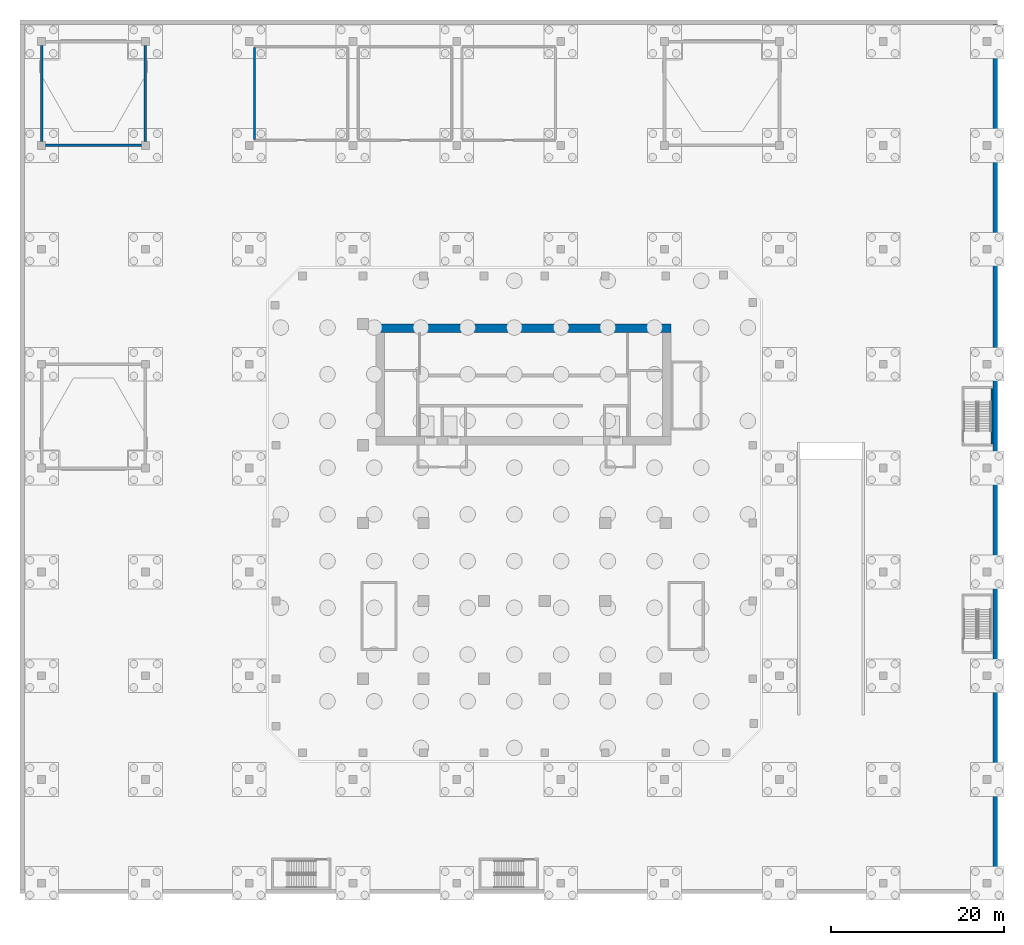
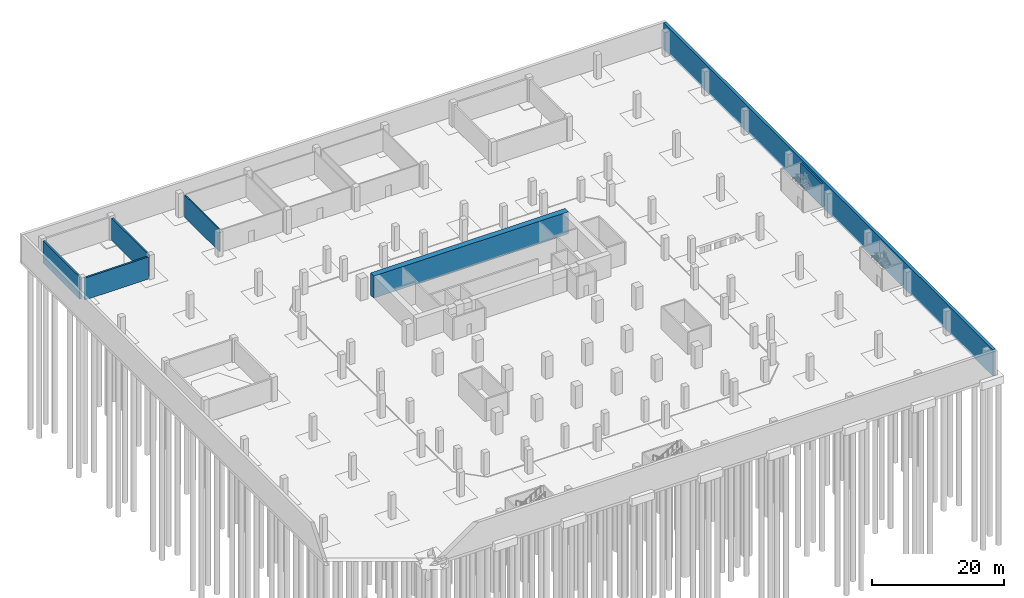
# One storey, part 10 of 15: 7 walls.
"""IFC4 building model written with IfcOpenShell, lengths in metres."""

from ifc_helpers import new_model, si_unit, direction, frame, frame_2d, origin, place, context, subcontext, project, spatial, rectangle, extrude, source, transform, mapped, material, layer, layer_set, type_object, element, save


model = new_model("IFC4")

# Units and contexts
model_context = context("Model", 3, precision=1e-05, world=origin(), true_north=direction((0.0, 1.0)))
body_context = subcontext(model_context, "Body", "Model", "MODEL_VIEW")
ifc_project = project(units=[si_unit("LENGTHUNIT", "METRE"), si_unit("AREAUNIT", "SQUARE_METRE"), si_unit("VOLUMEUNIT", "CUBIC_METRE"), si_unit("PLANEANGLEUNIT", "RADIAN"), si_unit("MASSUNIT", "GRAM", prefix="KILO")], contexts=[model_context])

# Site, building, storey
site_placement = place(None, origin())
site = spatial("IfcSite", under=ifc_project, at=site_placement, CompositionType="ELEMENT")
building_placement = place(site_placement, origin())
building = spatial("IfcBuilding", under=site, at=building_placement, Name="Kilnfold Tower and Market Hall", CompositionType="ELEMENT")
storey_placement = place(building_placement, frame((0.0, 0.0, -9.0)))
storey = spatial("IfcBuildingStorey", under=building, at=storey_placement, Name="B2", CompositionType="ELEMENT", Elevation=-9.0)

# Walls
ifc_material_1 = material(Name="Concrete C80", Category="concrete")
ifc_layer_1 = layer(ifc_material_1, 1.0)
ifc_layer_set_1 = layer_set([ifc_layer_1], Name="Concrete C80")
wall_type_1 = type_object("IfcWallType", Name="CORE WALL 1000 C80", PredefinedType="SHEAR", material=ifc_layer_set_1)
shared_shape_1 = source(origin(), body_context, "Body", "SweptSolid", [
    extrude(rectangle(XDim=34.10009765625, YDim=1.0, at=frame_2d((17.050048828125, 0.0))), origin(), (0.0, 0.0, 1.0), 4.10009765625),
])
wall_1_placement = place(storey_placement, frame((-16.0, 21.5, 0.0), z_axis=(0.0, 0.0, 1.0), x_axis=(1.0, 0.0, 0.0)))
element("IfcWall", 1, at=wall_1_placement, inside=storey, type_object=wall_type_1, Name="Core outer wall north", PredefinedType="SHEAR", context=body_context, shape_type="MappedRepresentation", body=[
    mapped(shared_shape_1, transform((0.0, 0.0, 0.0))),
])
ifc_material_2 = material(Name="Concrete C50/60", Category="concrete")
ifc_layer_2 = layer(ifc_material_2, 0.300048828125)
ifc_layer_set_2 = layer_set([ifc_layer_2], Name="Concrete C50/60")
wall_type_2 = type_object("IfcWallType", Name="HALL CORE WALL 300", PredefinedType="SHEAR", material=ifc_layer_set_2)
shared_shape_2 = source(origin(), body_context, "Body", "SweptSolid", [
    extrude(rectangle(XDim=11.099853515625, YDim=0.300048828125, at=frame_2d((5.5498046875, 0.0))), origin(), (0.0, 0.0, 1.0), 4.10009765625),
])
for number, where, z_axis, x_axis, name in (
    (2, (-43.10009765625, 42.64990234375, 0.0), (0.0, 0.0, 1.0), (-1.0, 0.0, 0.0), "Core wall MH2"),
    (3, (-42.64990234375, 54.199951171875, 0.0), (0.0, 0.0, 1.0), (0.0, -1.0, 0.0), "Core wall MH2"),
    (4, (-54.64990234375, 54.199951171875, 0.0), (0.0, 0.0, 1.0), (0.0, -1.0, 0.0), "Core wall MH2"),
):
    element("IfcWall", number, at=place(storey_placement, frame(where, z_axis=z_axis, x_axis=x_axis)), inside=storey, type_object=wall_type_2, Name=name, PredefinedType="SHEAR", context=body_context, shape_type="MappedRepresentation", body=[
        mapped(shared_shape_2, transform((0.0, 0.0, 0.0))),
    ])
ifc_material_3 = material(Name="Concrete C40/50", Category="concrete")
ifc_layer_3 = layer(ifc_material_3, 0.5)
ifc_layer_set_3 = layer_set([ifc_layer_3], Name="Concrete C40/50")
wall_type_3 = type_object("IfcWallType", Name="BASEMENT RETAINING WALL 500", PredefinedType="SOLIDWALL", material=ifc_layer_set_3)
shared_shape_3 = source(origin(), body_context, "Body", "SweptSolid", [
    extrude(rectangle(XDim=100.0, YDim=0.5, at=frame_2d((50.0, 0.0))), origin(), (0.0, 0.0, 1.0), 4.89990234375),
])
wall_2_placement = place(storey_placement, frame((55.60009765625, -43.35009765625, -0.39990234375), z_axis=(0.0, 0.0, 1.0), x_axis=(0.0, 1.0, 0.0)))
element("IfcWall", 5, at=wall_2_placement, inside=storey, type_object=wall_type_3, Name="Retaining wall B2 east", PredefinedType="SOLIDWALL", context=body_context, shape_type="MappedRepresentation", body=[
    mapped(shared_shape_3, transform((0.0, 0.0, 0.0))),
])
ifc_material_4 = material(Name="Concrete block C20", Category="concrete")
ifc_layer_4 = layer(ifc_material_4, 0.199951171875)
ifc_layer_set_4 = layer_set([ifc_layer_4], Name="Concrete block C20")
wall_type_4 = type_object("IfcWallType", Name="CAR PARK ROOM WALL 200", PredefinedType="PARTITIONING", material=ifc_layer_set_4)
shared_shape_4 = source(origin(), body_context, "Body", "SweptSolid", [
    extrude(rectangle(XDim=10.599853515625, YDim=0.199951171875, at=frame_2d((5.2998046875, 0.0))), origin(), (0.0, 0.0, 1.0), 4.10009765625),
])
wall_3_placement = place(storey_placement, frame((-30.050048828125, 43.35009765625, 0.0), z_axis=(0.0, 0.0, 1.0), x_axis=(0.0, 1.0, 0.0)))
element("IfcWall", 6, at=wall_3_placement, inside=storey, type_object=wall_type_4, Name="Water tank room wall west", PredefinedType="PARTITIONING", context=body_context, shape_type="MappedRepresentation", body=[
    mapped(shared_shape_4, transform((0.0, 0.0, 0.0))),
])
ifc_material_5 = material(Name="Concrete C50/60", Category="concrete")
ifc_layer_5 = layer(ifc_material_5, 0.25)
ifc_layer_set_5 = layer_set([ifc_layer_5], Name="Concrete C50/60")
wall_type_5 = type_object("IfcWallType", Name="CAR PARK STAIR WALL 250", PredefinedType="SHEAR", material=ifc_layer_set_5)
shared_shape_5 = source(origin(), body_context, "Body", "SweptSolid", [
    extrude(rectangle(XDim=6.400146484375, YDim=0.25, at=frame_2d((3.2001953125, 0.0))), origin(), (0.0, 0.0, 1.0), 4.10009765625),
])
wall_4_placement = place(storey_placement, frame((55.22509765625, 8.14990234375, 0.0), z_axis=(0.0, 0.0, 1.0), x_axis=(0.0, 1.0, 0.0)))
element("IfcWall", 7, at=wall_4_placement, inside=storey, type_object=wall_type_5, Name="Stair CS4 wall east", PredefinedType="SHEAR", context=body_context, shape_type="MappedRepresentation", body=[
    mapped(shared_shape_5, transform((0.0, 0.0, 0.0))),
])

save(model, "model.ifc")
